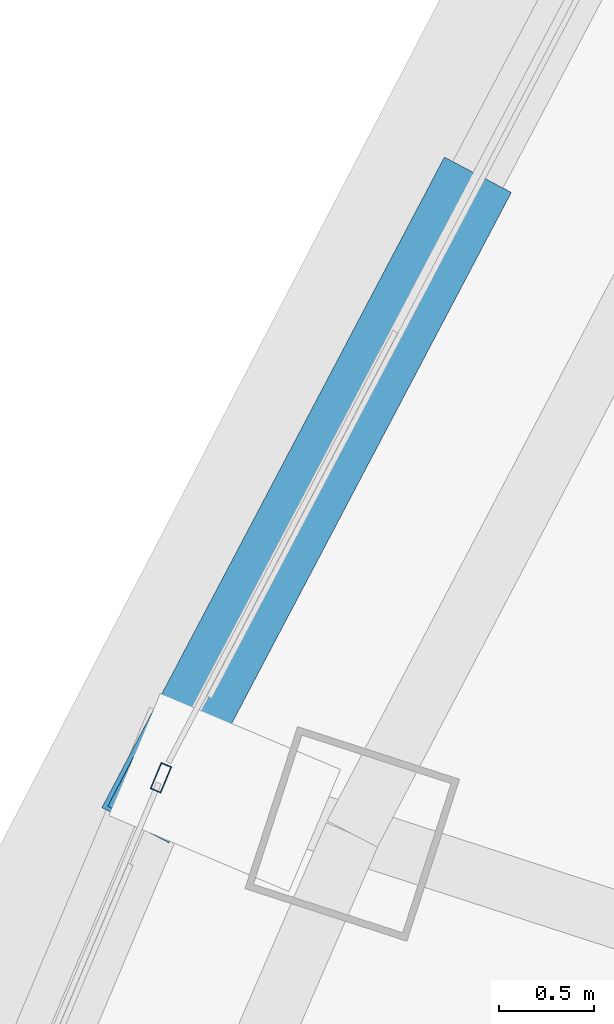
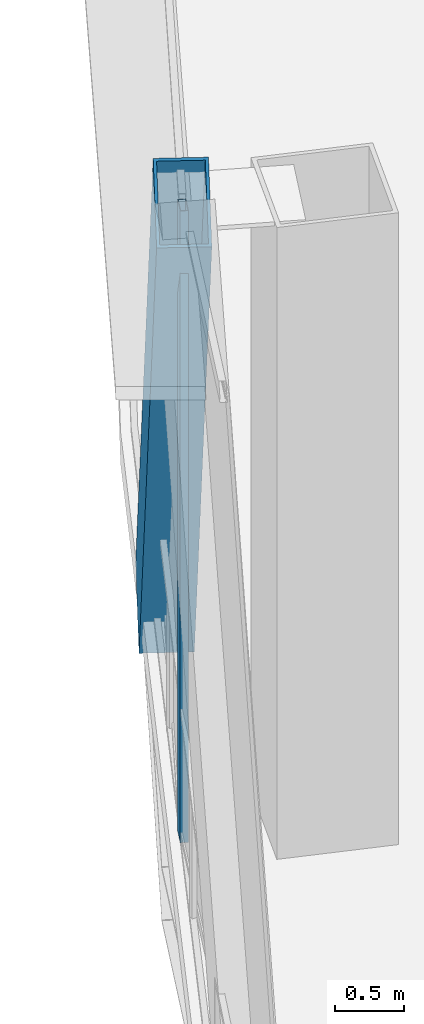
# One storey, part 8 of 38: 2 members, 1 element without a shape of its own.
"""IFC4 building model written with IfcOpenShell, lengths in metres."""

from ifc_helpers import new_model, si_unit, direction, frame, origin, origin_2d, place, context, subcontext, project, spatial, hollow_rectangle, extrude, source, transform, mapped, material, layer, layer_set, material_profile, profile_set, type_object, element, aggregate, save


model = new_model("IFC4")

# Units and contexts
model_context = context("Model", 3, precision=1e-05, world=origin(), true_north=direction((0.0, 1.0)))
body_context = subcontext(model_context, "Body", "Model", "MODEL_VIEW")
ifc_project = project(units=[si_unit("LENGTHUNIT", "METRE"), si_unit("AREAUNIT", "SQUARE_METRE"), si_unit("VOLUMEUNIT", "CUBIC_METRE"), si_unit("PLANEANGLEUNIT", "RADIAN"), si_unit("MASSUNIT", "GRAM", prefix="KILO"), si_unit("THERMODYNAMICTEMPERATUREUNIT", "KELVIN"), si_unit("POWERUNIT", "WATT")], contexts=[model_context])

# Site, building, storey
site_placement = place(None, origin())
site = spatial("IfcSite", under=ifc_project, at=site_placement, CompositionType="ELEMENT")
building_placement = place(site_placement, origin())
building = spatial("IfcBuilding", under=site, at=building_placement, Name="Yunzhuo Pagoda Commons", CompositionType="ELEMENT")
storey_placement = place(building_placement, frame((0.0, 0.0, 218.9599609375)))
storey = spatial("IfcBuildingStorey", under=building, at=storey_placement, Name="L55", CompositionType="ELEMENT", Elevation=218.9599609375)

# Member
ifc_material_1 = material(Name="Structural steel Q355B", Category="steel")
ifc_material_profile_1 = material_profile(ifc_material_1, hollow_rectangle(XDim=0.39990234375, YDim=0.719970703125, WallThickness=0.02392578125, at=origin_2d()), Name="Structural steel Q355B")
ifc_profile_set_1 = profile_set([ifc_material_profile_1], Name="Structural steel Q355B")
member_type_1 = type_object("IfcMemberType", Name="M-DL2 Brace BOX 720x400x24", PredefinedType="BRACE", material=ifc_profile_set_1)
shared_shape_1 = source(origin(), body_context, "Body", "SweptSolid", [
    extrude(hollow_rectangle(XDim=0.39990234375, YDim=0.719970703125, WallThickness=0.02392578125, at=origin_2d()), origin(), (0.0, 0.0, 1.0), 6.69384765625),
])
member_1_placement = place(storey_placement, frame((20.022216796875, 46.16162109375, -0.280029296875), z_axis=(-0.226420951249, -0.430046623096, 0.873952776069), x_axis=(0.884849842576, -0.46587633133, 0.0)))
element("IfcMember", 1, at=member_1_placement, inside=storey, type_object=member_type_1, Name="L55 facade diamond brace F3.2R", PredefinedType="BRACE", context=body_context, shape_type="MappedRepresentation", body=[
    mapped(shared_shape_1, transform((0.0, 0.0, 0.0), scale=1.0)),
])

# Curtain wall, member
ifc_material_2 = material(Name="Anodized aluminium 6063-T6", Category="aluminium")
ifc_layer = layer(ifc_material_2, 0.14990234375)
ifc_layer_set = layer_set([ifc_layer], Name="Anodized aluminium 6063-T6")
curtain_wall_type = type_object("IfcCurtainWallType", Name="CW-MID Mid-Zone Ribbon Curtain Wall", PredefinedType="NOTDEFINED", material=ifc_layer_set)
curtain_wall_placement = place(storey_placement, origin())
curtain_wall = element("IfcCurtainWall", 2, at=curtain_wall_placement, inside=storey, type_object=curtain_wall_type, Name="L55 curtain wall CW-L55-F3B4", PredefinedType="NOTDEFINED")
ifc_material_profile_2 = material_profile(ifc_material_2, hollow_rectangle(XDim=0.06005859375, YDim=0.14990234375, WallThickness=0.00390625, at=origin_2d()), Name="Anodized aluminium 6063-T6")
ifc_profile_set_2 = profile_set([ifc_material_profile_2], Name="Anodized aluminium 6063-T6")
member_type_2 = type_object("IfcMemberType", Name="CW-MID-M Mullion RHS 150x60x4", PredefinedType="MULLION", material=ifc_profile_set_2)
shared_shape_2 = source(origin(), body_context, "Body", "SweptSolid", [
    extrude(hollow_rectangle(XDim=0.06005859375, YDim=0.14990234375, WallThickness=0.00390625, at=origin_2d()), origin(), (0.0, 0.0, 1.0), 5.570068359375),
])
member_2_placement = place(storey_placement, frame((18.4951171875, 43.25537109375, 0.0), z_axis=(0.0, 0.0, 1.0), x_axis=(0.921188379256, -0.389116910355, 0.0)))
member_2 = element("IfcMember", 3, at=member_2_placement, type_object=member_type_2, Name="CW mullion 1", PredefinedType="MULLION", context=body_context, shape_type="MappedRepresentation", body=[
    mapped(shared_shape_2, transform((0.0, 0.0, 0.0), scale=1.0)),
])
aggregate(curtain_wall, [member_2])

save(model, "model.ifc")
